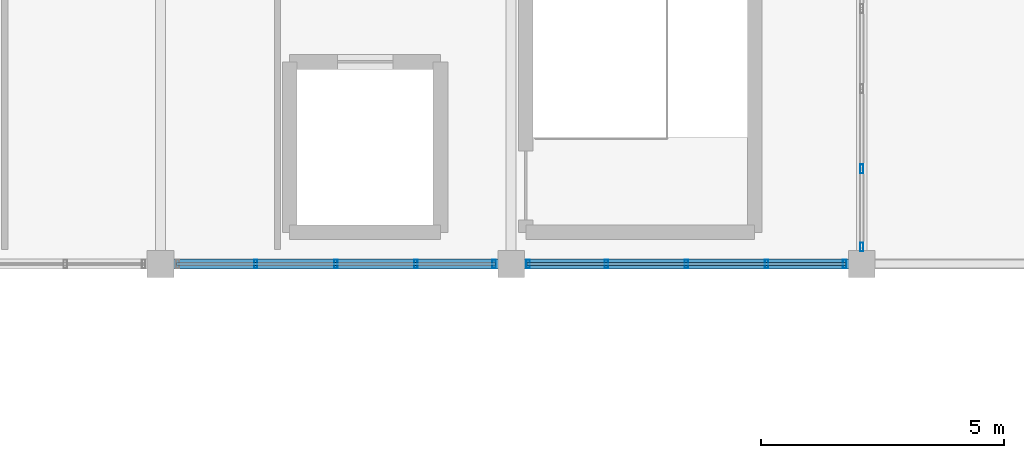
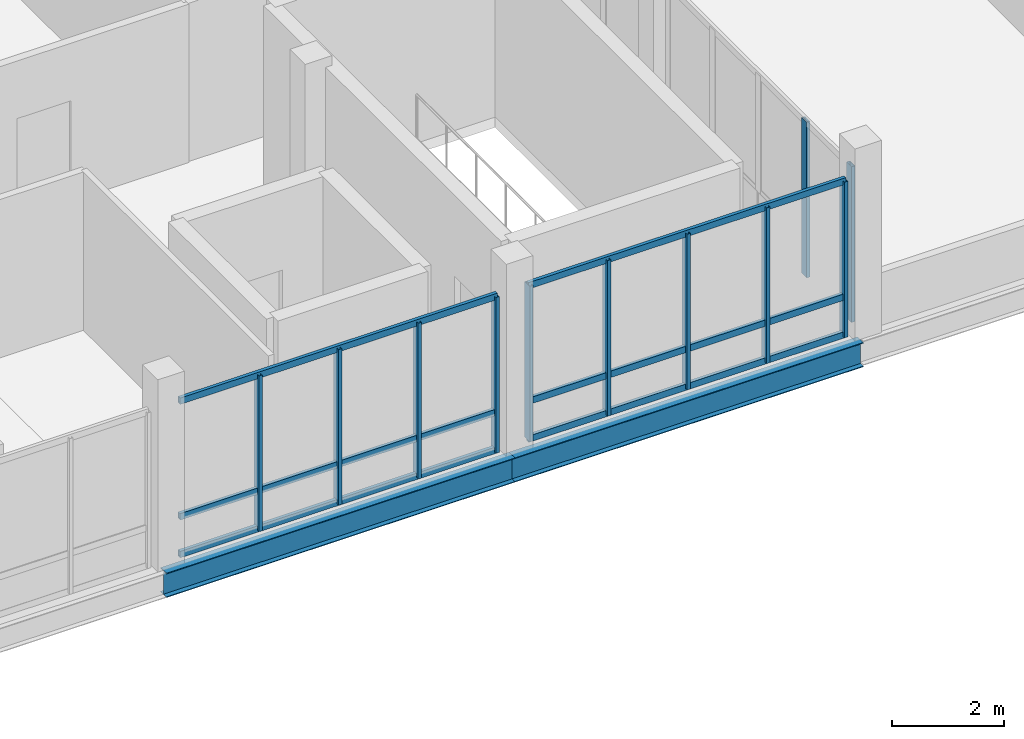
# One storey, part 6 of 28: 17 members, 2 beams, 3 elements without a shape of their own.
"""IFC4 building model written with IfcOpenShell, lengths in metres."""

from ifc_helpers import new_model, si_unit, direction, frame, origin, origin_2d, place, context, subcontext, project, spatial, hollow_rectangle, i_section, extrude, material, material_profile, profile_set, type_object, element, aggregate, save


model = new_model("IFC4")

# Units and contexts
model_context = context("Model", 3, precision=1e-05, world=origin(), true_north=direction((0.0, 1.0)))
body_context = subcontext(model_context, "Body", "Model", "MODEL_VIEW")
ifc_project = project(units=[si_unit("LENGTHUNIT", "METRE"), si_unit("AREAUNIT", "SQUARE_METRE"), si_unit("VOLUMEUNIT", "CUBIC_METRE"), si_unit("PLANEANGLEUNIT", "RADIAN"), si_unit("MASSUNIT", "GRAM", prefix="KILO")], contexts=[model_context])

# Site, building, storey
site_placement = place(None, origin())
site = spatial("IfcSite", under=ifc_project, at=site_placement, CompositionType="ELEMENT")
building_placement = place(site_placement, origin())
building = spatial("IfcBuilding", under=site, at=building_placement, Name="Yarey Park Central Fire Station", CompositionType="ELEMENT")
storey_placement = place(building_placement, frame((0.0, 0.0, 22.199951171875)))
storey = spatial("IfcBuildingStorey", under=building, at=storey_placement, Name="L06", CompositionType="ELEMENT", Elevation=22.199951171875)

# Curtain wall, members
ifc_material_1 = material(Name="Anodized Aluminium Frame", Category="aluminium")
curtain_wall_type = type_object("IfcCurtainWallType", Name="ENV_CW_HQ_L06", PredefinedType="NOTDEFINED", material=ifc_material_1)
curtain_wall_1_placement = place(storey_placement, origin())
curtain_wall_1 = element("IfcCurtainWall", 1, at=curtain_wall_1_placement, inside=storey, type_object=curtain_wall_type, Name="CW_L06_V4_S_3", PredefinedType="NOTDEFINED")
ifc_material_profile_1 = material_profile(ifc_material_1, hollow_rectangle(XDim=0.070068359375, YDim=0.179931640625, WallThickness=0.00390625, at=origin_2d()), Name="ALU 180x70x4")
ifc_profile_set_1 = profile_set([ifc_material_profile_1], Name="Anodized Aluminium Frame")
member_type_1 = type_object("IfcMemberType", Name="ENV_CW_MULLION", PredefinedType="MULLION", material=ifc_profile_set_1)
member_1_placement = place(storey_placement, frame((131.554931640625, 93.60009765625, 0.0), z_axis=(0.0, 0.0, 1.0), x_axis=(1.0, 0.0, 0.0)))
member_1 = element("IfcMember", 2, at=member_1_placement, type_object=member_type_1, Name="CW_L06_V4_S_3_MUL2", PredefinedType="MULLION", context=body_context, shape_type="SweptSolid", body=[
    extrude(hollow_rectangle(XDim=0.070068359375, YDim=0.179931640625, WallThickness=0.00390625, at=origin_2d()), origin(), (0.0, 0.0, 1.0), 3.400146484375),
])
member_2_placement = place(storey_placement, frame((133.199951171875, 93.60009765625, 0.0), z_axis=(0.0, 0.0, 1.0), x_axis=(1.0, 0.0, 0.0)))
member_2 = element("IfcMember", 3, at=member_2_placement, type_object=member_type_1, Name="CW_L06_V4_S_3_MUL3", PredefinedType="MULLION", context=body_context, shape_type="SweptSolid", body=[
    extrude(hollow_rectangle(XDim=0.070068359375, YDim=0.179931640625, WallThickness=0.00390625, at=origin_2d()), origin(), (0.0, 0.0, 1.0), 3.400146484375),
])
member_3_placement = place(storey_placement, frame((134.844970703125, 93.60009765625, 0.0), z_axis=(0.0, 0.0, 1.0), x_axis=(1.0, 0.0, 0.0)))
member_3 = element("IfcMember", 4, at=member_3_placement, type_object=member_type_1, Name="CW_L06_V4_S_3_MUL4", PredefinedType="MULLION", context=body_context, shape_type="SweptSolid", body=[
    extrude(hollow_rectangle(XDim=0.070068359375, YDim=0.179931640625, WallThickness=0.00390625, at=origin_2d()), origin(), (0.0, 0.0, 1.0), 3.400146484375),
])
member_4_placement = place(storey_placement, frame((136.449951171875, 93.60009765625, 0.0), z_axis=(0.0, 0.0, 1.0), x_axis=(1.0, 0.0, 0.0)))
member_4 = element("IfcMember", 5, at=member_4_placement, type_object=member_type_1, Name="CW_L06_V4_S_3_MUL5", PredefinedType="MULLION", context=body_context, shape_type="SweptSolid", body=[
    extrude(hollow_rectangle(XDim=0.070068359375, YDim=0.179931640625, WallThickness=0.00390625, at=origin_2d()), origin(), (0.0, 0.0, 1.0), 3.400146484375),
])

curtain_wall_2_placement = place(storey_placement, origin())
curtain_wall_2 = element("IfcCurtainWall", 6, at=curtain_wall_2_placement, inside=storey, type_object=curtain_wall_type, Name="CW_L06_V4_S_4", PredefinedType="NOTDEFINED")
member_5_placement = place(storey_placement, frame((137.14990234375, 93.60009765625, 0.0), z_axis=(0.0, 0.0, 1.0), x_axis=(1.0, 0.0, 0.0)))
member_5 = element("IfcMember", 7, at=member_5_placement, type_object=member_type_1, Name="CW_L06_V4_S_4_MUL1", PredefinedType="MULLION", context=body_context, shape_type="SweptSolid", body=[
    extrude(hollow_rectangle(XDim=0.070068359375, YDim=0.179931640625, WallThickness=0.00390625, at=origin_2d()), origin(), (0.0, 0.0, 1.0), 3.400146484375),
])
member_6_placement = place(storey_placement, frame((138.7548828125, 93.60009765625, 0.0), z_axis=(0.0, 0.0, 1.0), x_axis=(1.0, 0.0, 0.0)))
member_6 = element("IfcMember", 8, at=member_6_placement, type_object=member_type_1, Name="CW_L06_V4_S_4_MUL2", PredefinedType="MULLION", context=body_context, shape_type="SweptSolid", body=[
    extrude(hollow_rectangle(XDim=0.070068359375, YDim=0.179931640625, WallThickness=0.00390625, at=origin_2d()), origin(), (0.0, 0.0, 1.0), 3.400146484375),
])
member_7_placement = place(storey_placement, frame((140.39990234375, 93.60009765625, 0.0), z_axis=(0.0, 0.0, 1.0), x_axis=(1.0, 0.0, 0.0)))
member_7 = element("IfcMember", 9, at=member_7_placement, type_object=member_type_1, Name="CW_L06_V4_S_4_MUL3", PredefinedType="MULLION", context=body_context, shape_type="SweptSolid", body=[
    extrude(hollow_rectangle(XDim=0.070068359375, YDim=0.179931640625, WallThickness=0.00390625, at=origin_2d()), origin(), (0.0, 0.0, 1.0), 3.400146484375),
])
member_8_placement = place(storey_placement, frame((142.044921875, 93.60009765625, 0.0), z_axis=(0.0, 0.0, 1.0), x_axis=(1.0, 0.0, 0.0)))
member_8 = element("IfcMember", 10, at=member_8_placement, type_object=member_type_1, Name="CW_L06_V4_S_4_MUL4", PredefinedType="MULLION", context=body_context, shape_type="SweptSolid", body=[
    extrude(hollow_rectangle(XDim=0.070068359375, YDim=0.179931640625, WallThickness=0.00390625, at=origin_2d()), origin(), (0.0, 0.0, 1.0), 3.400146484375),
])
member_9_placement = place(storey_placement, frame((143.64990234375, 93.60009765625, 0.0), z_axis=(0.0, 0.0, 1.0), x_axis=(1.0, 0.0, 0.0)))
member_9 = element("IfcMember", 11, at=member_9_placement, type_object=member_type_1, Name="CW_L06_V4_S_4_MUL5", PredefinedType="MULLION", context=body_context, shape_type="SweptSolid", body=[
    extrude(hollow_rectangle(XDim=0.070068359375, YDim=0.179931640625, WallThickness=0.00390625, at=origin_2d()), origin(), (0.0, 0.0, 1.0), 3.400146484375),
])

curtain_wall_3_placement = place(storey_placement, origin())
curtain_wall_3 = element("IfcCurtainWall", 12, at=curtain_wall_3_placement, inside=storey, type_object=curtain_wall_type, Name="CW_L06_V4_E_93", PredefinedType="NOTDEFINED")
member_10_placement = place(storey_placement, frame((144.0, 93.949951171875, 0.0), z_axis=(0.0, 0.0, 1.0), x_axis=(1.0, 0.0, 0.0)))
member_10 = element("IfcMember", 13, at=member_10_placement, type_object=member_type_1, Name="CW_L06_V4_E_93_MUL1", PredefinedType="MULLION", context=body_context, shape_type="SweptSolid", body=[
    extrude(hollow_rectangle(XDim=0.070068359375, YDim=0.179931640625, WallThickness=0.00390625, at=origin_2d()), origin(), (0.0, 0.0, 1.0), 3.400146484375),
])
member_11_placement = place(storey_placement, frame((144.0, 95.554931640625, 0.0), z_axis=(0.0, 0.0, 1.0), x_axis=(1.0, 0.0, 0.0)))
member_11 = element("IfcMember", 14, at=member_11_placement, type_object=member_type_1, Name="CW_L06_V4_E_93_MUL2", PredefinedType="MULLION", context=body_context, shape_type="SweptSolid", body=[
    extrude(hollow_rectangle(XDim=0.070068359375, YDim=0.179931640625, WallThickness=0.00390625, at=origin_2d()), origin(), (0.0, 0.0, 1.0), 3.400146484375),
])
aggregate(curtain_wall_3, [member_10, member_11])

# Member
ifc_material_profile_2 = material_profile(ifc_material_1, hollow_rectangle(XDim=0.070068359375, YDim=0.139892578125, WallThickness=0.00390625, at=origin_2d()), Name="ALU 140x70x4")
ifc_profile_set_2 = profile_set([ifc_material_profile_2], Name="Anodized Aluminium Frame")
member_type_2 = type_object("IfcMemberType", Name="ENV_CW_TRANSOM", PredefinedType="USERDEFINED", material=ifc_profile_set_2)
member_12_placement = place(storey_placement, frame((129.925048828125, 93.60009765625, 0.025146484375), z_axis=(1.0, 0.0, 0.0), x_axis=(0.0, 1.0, 0.0)))
member_12 = element("IfcMember", 15, at=member_12_placement, type_object=member_type_2, Name="CW_L06_V4_S_3_TRN1", ObjectType="TRANSOM", PredefinedType="USERDEFINED", context=body_context, shape_type="SweptSolid", body=[
    extrude(hollow_rectangle(XDim=0.070068359375, YDim=0.139892578125, WallThickness=0.00390625, at=origin_2d()), origin(), (0.0, 0.0, 1.0), 6.550048828125),
])

member_13_placement = place(storey_placement, frame((129.925048828125, 93.60009765625, 0.85009765625), z_axis=(1.0, 0.0, 0.0), x_axis=(0.0, 1.0, 0.0)))
member_13 = element("IfcMember", 16, at=member_13_placement, type_object=member_type_2, Name="CW_L06_V4_S_3_TRN2", ObjectType="TRANSOM", PredefinedType="USERDEFINED", context=body_context, shape_type="SweptSolid", body=[
    extrude(hollow_rectangle(XDim=0.070068359375, YDim=0.139892578125, WallThickness=0.00390625, at=origin_2d()), origin(), (0.0, 0.0, 1.0), 6.550048828125),
])

member_14_placement = place(storey_placement, frame((129.925048828125, 93.60009765625, 3.375), z_axis=(1.0, 0.0, 0.0), x_axis=(0.0, 1.0, 0.0)))
member_14 = element("IfcMember", 17, at=member_14_placement, type_object=member_type_2, Name="CW_L06_V4_S_3_TRN3", ObjectType="TRANSOM", PredefinedType="USERDEFINED", context=body_context, shape_type="SweptSolid", body=[
    extrude(hollow_rectangle(XDim=0.070068359375, YDim=0.139892578125, WallThickness=0.00390625, at=origin_2d()), origin(), (0.0, 0.0, 1.0), 6.550048828125),
])

aggregate(curtain_wall_1, [member_1, member_2, member_3, member_4, member_12, member_13, member_14])

member_15_placement = place(storey_placement, frame((137.125, 93.60009765625, 0.025146484375), z_axis=(1.0, 0.0, 0.0), x_axis=(0.0, 1.0, 0.0)))
member_15 = element("IfcMember", 18, at=member_15_placement, type_object=member_type_2, Name="CW_L06_V4_S_4_TRN1", ObjectType="TRANSOM", PredefinedType="USERDEFINED", context=body_context, shape_type="SweptSolid", body=[
    extrude(hollow_rectangle(XDim=0.070068359375, YDim=0.139892578125, WallThickness=0.00390625, at=origin_2d()), origin(), (0.0, 0.0, 1.0), 6.550048828125),
])

member_16_placement = place(storey_placement, frame((137.125, 93.60009765625, 0.85009765625), z_axis=(1.0, 0.0, 0.0), x_axis=(0.0, 1.0, 0.0)))
member_16 = element("IfcMember", 19, at=member_16_placement, type_object=member_type_2, Name="CW_L06_V4_S_4_TRN2", ObjectType="TRANSOM", PredefinedType="USERDEFINED", context=body_context, shape_type="SweptSolid", body=[
    extrude(hollow_rectangle(XDim=0.070068359375, YDim=0.139892578125, WallThickness=0.00390625, at=origin_2d()), origin(), (0.0, 0.0, 1.0), 6.550048828125),
])

member_17_placement = place(storey_placement, frame((137.125, 93.60009765625, 3.375), z_axis=(1.0, 0.0, 0.0), x_axis=(0.0, 1.0, 0.0)))
member_17 = element("IfcMember", 20, at=member_17_placement, type_object=member_type_2, Name="CW_L06_V4_S_4_TRN3", ObjectType="TRANSOM", PredefinedType="USERDEFINED", context=body_context, shape_type="SweptSolid", body=[
    extrude(hollow_rectangle(XDim=0.070068359375, YDim=0.139892578125, WallThickness=0.00390625, at=origin_2d()), origin(), (0.0, 0.0, 1.0), 6.550048828125),
])

aggregate(curtain_wall_2, [member_5, member_6, member_7, member_8, member_9, member_15, member_16, member_17])

# Beams
ifc_material_2 = material(Name="Steel ASTM A992 Gr. 50", Category="steel")
ifc_material_profile_3 = material_profile(ifc_material_2, i_section(OverallWidth=0.208984375, OverallDepth=0.532958984375, WebThickness=0.01025390625, FlangeThickness=0.015625, at=origin_2d()), Name="W530x92")
ifc_profile_set_3 = profile_set([ifc_material_profile_3], Name="Steel ASTM A992 Gr. 50")
beam_type = type_object("IfcBeamType", Name="STR_BM_W530", PredefinedType="BEAM", material=ifc_profile_set_3)
for number, where, z_axis, x_axis, name in (
    (21, (129.60009765625, 93.60009765625, -0.491455078125), (1.0, 0.0, 0.0), (0.0, 1.0, 0.0), "BMX L06 Y936 X1296"),
    (22, (136.800048828125, 93.60009765625, -0.491455078125), (1.0, 0.0, 0.0), (0.0, 1.0, 0.0), "BMX L06 Y936 X1368"),
):
    element("IfcBeam", number, at=place(storey_placement, frame(where, z_axis=z_axis, x_axis=x_axis)), inside=storey, type_object=beam_type, Name=name, PredefinedType="BEAM", context=body_context, shape_type="SweptSolid", body=[
        extrude(i_section(OverallWidth=0.208984375, OverallDepth=0.532958984375, WebThickness=0.01025390625, FlangeThickness=0.015625, at=origin_2d()), origin(), (0.0, 0.0, 1.0), 7.199951171875),
    ])

save(model, "model.ifc")
